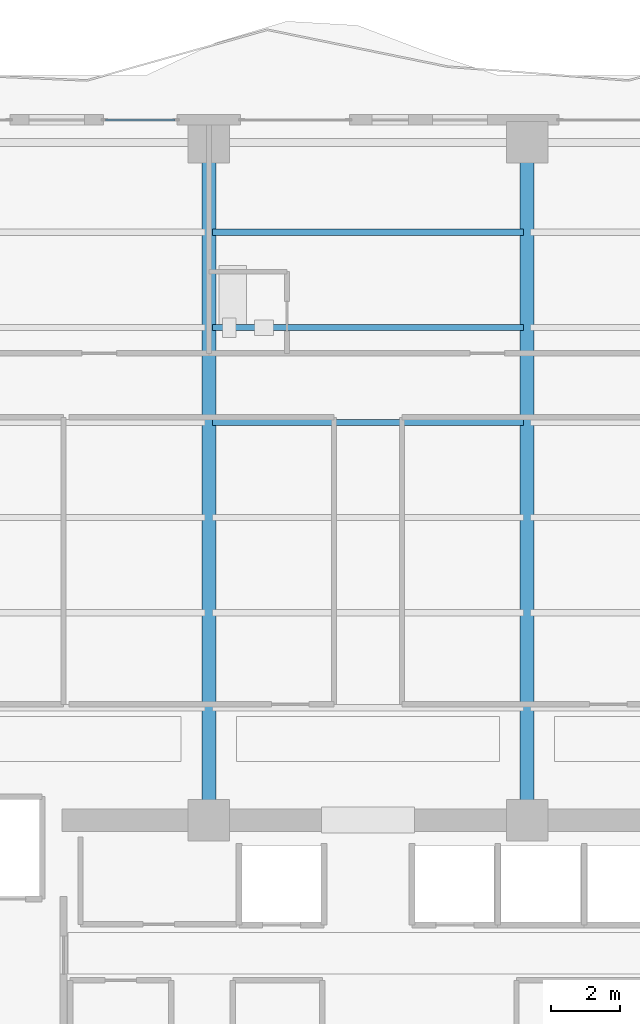
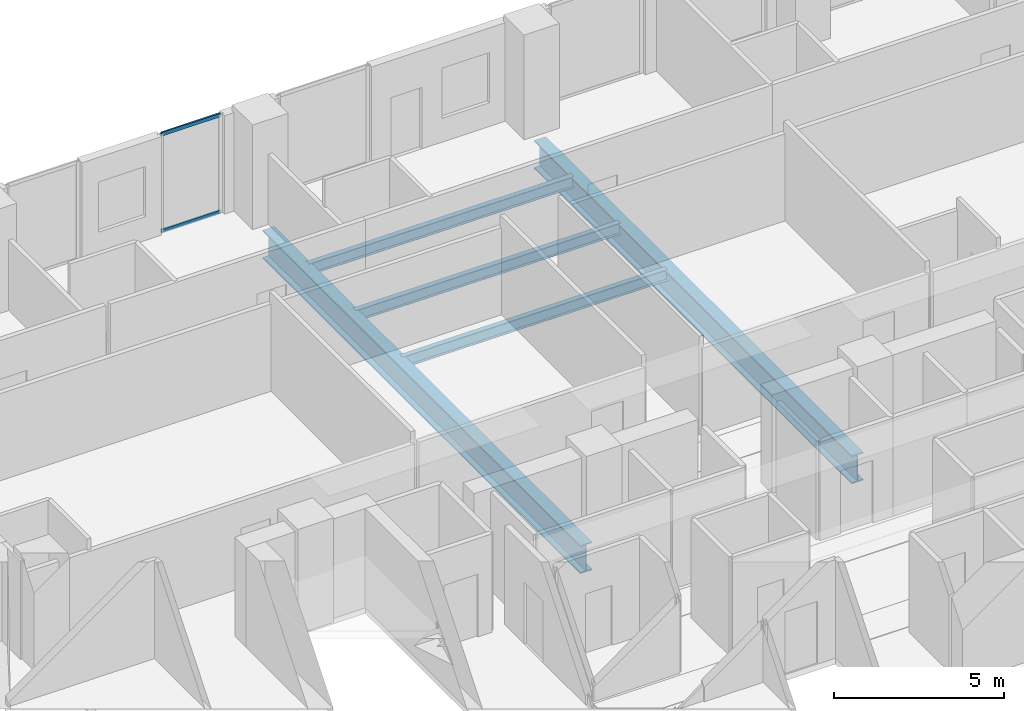
# One storey, part 19 of 33: 5 beams, 2 members, 1 element without a shape of its own.
"""IFC4 building model written with IfcOpenShell, lengths in metres."""

from ifc_helpers import new_model, si_unit, direction, frame, origin, origin_2d, place, context, subcontext, project, spatial, hollow_rectangle, i_section, extrude, material, layer, layer_set, material_profile, profile_set, type_object, element, aggregate, save


model = new_model("IFC4")

# Units and contexts
model_context = context("Model", 3, precision=1e-05, world=origin(), true_north=direction((0.0, 1.0)))
body_context = subcontext(model_context, "Body", "Model", "MODEL_VIEW")
ifc_project = project(units=[si_unit("LENGTHUNIT", "METRE"), si_unit("AREAUNIT", "SQUARE_METRE"), si_unit("VOLUMEUNIT", "CUBIC_METRE"), si_unit("PLANEANGLEUNIT", "RADIAN"), si_unit("MASSUNIT", "GRAM", prefix="KILO")], contexts=[model_context])

# Site, building, storey
site_placement = place(None, origin())
site = spatial("IfcSite", under=ifc_project, at=site_placement, CompositionType="ELEMENT")
building_placement = place(site_placement, origin())
building = spatial("IfcBuilding", under=site, at=building_placement, Name="Zuhayl Quay Hotel", CompositionType="ELEMENT")
storey_placement = place(building_placement, frame((0.0, 0.0, 211.14990234375)))
storey = spatial("IfcBuildingStorey", under=building, at=storey_placement, Name="L53", CompositionType="ELEMENT", Elevation=211.14990234375)

# Beams
ifc_material_1 = material(Name="Steel ASTM A992 Grade 50", Category="steel")
ifc_material_profile_1 = material_profile(ifc_material_1, i_section(OverallWidth=0.177978515625, OverallDepth=0.406005859375, WebThickness=0.0078125, FlangeThickness=0.0126953125, at=origin_2d()), Name="W16X40")
ifc_profile_set_1 = profile_set([ifc_material_profile_1], Name="Steel ASTM A992 Grade 50")
beam_type_1 = type_object("IfcBeamType", Name="BM_J2B_W16X40", PredefinedType="JOIST", material=ifc_profile_set_1)
for number, where, z_axis, x_axis, name in (
    (1, (-4.493896484375, 24.85009765625, -0.4228515625), (1.0, 0.0, 0.0), (0.0, 1.0, 0.0), "L53 Floor Beam FJ_L53_4_2"),
    (2, (-4.493896484375, 27.60009765625, -0.4228515625), (1.0, 0.0, 0.0), (0.0, 1.0, 0.0), "L53 Floor Beam FJ_L53_5_2"),
    (3, (-4.493896484375, 30.35009765625, -0.4228515625), (1.0, 0.0, 0.0), (0.0, 1.0, 0.0), "L53 Floor Beam FJ_L53_6_2"),
):
    element("IfcBeam", number, at=place(storey_placement, frame(where, z_axis=z_axis, x_axis=x_axis)), inside=storey, type_object=beam_type_1, Name=name, PredefinedType="JOIST", context=body_context, shape_type="SweptSolid", body=[
        extrude(i_section(OverallWidth=0.177978515625, OverallDepth=0.406005859375, WebThickness=0.0078125, FlangeThickness=0.0126953125, at=origin_2d()), origin(), (0.0, 0.0, 1.0), 8.98779296875),
    ])
ifc_material_profile_2 = material_profile(ifc_material_1, i_section(OverallWidth=0.40087890625, OverallDepth=1.010986328125, WebThickness=0.023681640625, FlangeThickness=0.0419921875, at=origin_2d()), Name="W40X297")
ifc_profile_set_2 = profile_set([ifc_material_profile_2], Name="Steel ASTM A992 Grade 50")
beam_type_2 = type_object("IfcBeamType", Name="BM_TG2_W40X297", PredefinedType="BEAM", material=ifc_profile_set_2)
for number, where, z_axis, x_axis, name in (
    (4, (-4.60009765625, 13.800048828125, -0.725341796875), (0.0, 1.0, 0.0), (-1.0, 0.0, 0.0), "L53 Floor Beam FG_N_L53_2"),
    (5, (4.60009765625, 13.800048828125, -0.725341796875), (0.0, 1.0, 0.0), (-1.0, 0.0, 0.0), "L53 Floor Beam FG_N_L53_3"),
):
    element("IfcBeam", number, at=place(storey_placement, frame(where, z_axis=z_axis, x_axis=x_axis)), inside=storey, type_object=beam_type_2, Name=name, PredefinedType="BEAM", context=body_context, shape_type="SweptSolid", body=[
        extrude(i_section(OverallWidth=0.40087890625, OverallDepth=1.010986328125, WebThickness=0.023681640625, FlangeThickness=0.0419921875, at=origin_2d()), origin(), (0.0, 0.0, 1.0), 18.64990234375),
    ])

# Curtain wall, members
ifc_material_2 = material(Name="Anodised Aluminium 6063-T6", Category="aluminium")
ifc_layer = layer(ifc_material_2, 0.175048828125, Name="Anodised Aluminium 6063-T6", Category="aluminium")
ifc_layer_set = layer_set([ifc_layer], Name="Anodised Aluminium 6063-T6")
curtain_wall_type = type_object("IfcCurtainWallType", Name="CW_SYS_Z3", PredefinedType="USERDEFINED", material=ifc_layer_set)
curtain_wall_placement = place(storey_placement, origin())
curtain_wall = element("IfcCurtainWall", 6, at=curtain_wall_placement, inside=storey, type_object=curtain_wall_type, Name="L53 Curtain Wall ENV_L53_N_CW3", ObjectType="UNITISED CURTAIN WALL", PredefinedType="USERDEFINED")
ifc_material_3 = material(Name="Black-anodised aluminium 6063-T6", Category="aluminium")
ifc_material_profile_3 = material_profile(ifc_material_3, hollow_rectangle(XDim=0.054931640625, YDim=0.1298828125, WallThickness=0.0029296875, at=origin_2d()), Name="ALU130X55")
ifc_profile_set_3 = profile_set([ifc_material_profile_3], Name="Black-anodised aluminium 6063-T6")
member_type = type_object("IfcMemberType", Name="MB_CW_TRN_130", PredefinedType="USERDEFINED", material=ifc_profile_set_3)
member_1_placement = place(storey_placement, frame((-7.5849609375, 33.60009765625, 0.027587890625), z_axis=(1.0, 0.0, 0.0), x_axis=(0.0, 1.0, 0.0)))
member_1 = element("IfcMember", 7, at=member_1_placement, type_object=member_type, Name="CW-Z3 transom 1.1", ObjectType="TRANSOM", PredefinedType="USERDEFINED", context=body_context, shape_type="SweptSolid", body=[
    extrude(hollow_rectangle(XDim=0.054931640625, YDim=0.1298828125, WallThickness=0.0029296875, at=origin_2d()), origin(), (0.0, 0.0, 1.0), 2.0),
])
member_2_placement = place(storey_placement, frame((-7.5849609375, 33.60009765625, 3.502685546875), z_axis=(1.0, 0.0, 0.0), x_axis=(0.0, 1.0, 0.0)))
member_2 = element("IfcMember", 8, at=member_2_placement, type_object=member_type, Name="CW-Z3 transom 1.2", ObjectType="TRANSOM", PredefinedType="USERDEFINED", context=body_context, shape_type="SweptSolid", body=[
    extrude(hollow_rectangle(XDim=0.054931640625, YDim=0.1298828125, WallThickness=0.0029296875, at=origin_2d()), origin(), (0.0, 0.0, 1.0), 2.0),
])
aggregate(curtain_wall, [member_1, member_2])

save(model, "model.ifc")
